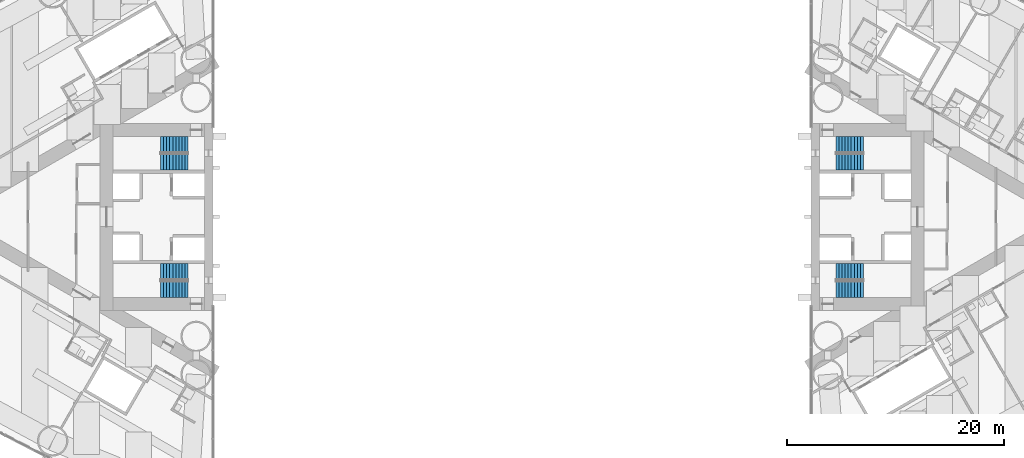
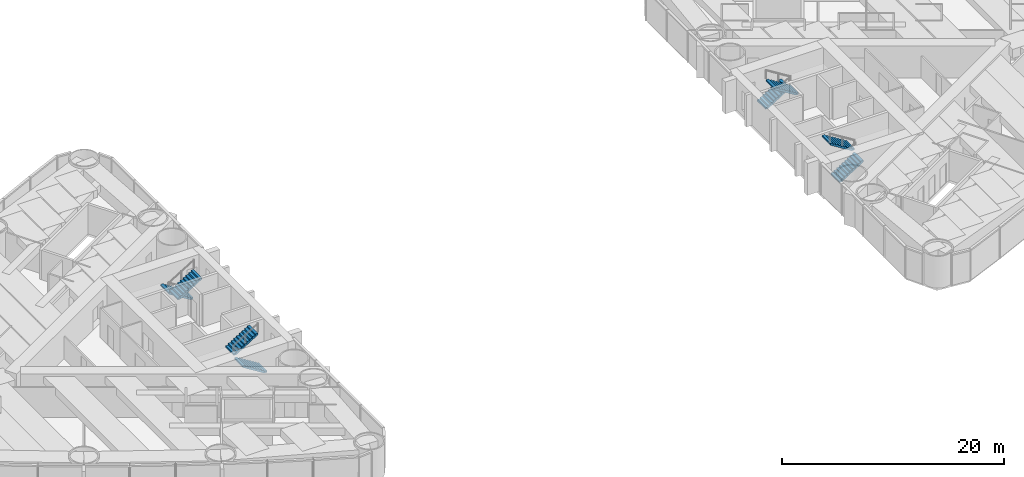
# One storey, part 16 of 18: 8 stair flights, 4 elements without a shape of their own.
"""IFC4 building model written with IfcOpenShell, lengths in metres."""

from ifc_helpers import new_model, si_unit, direction, frame, origin, place, context, subcontext, project, spatial, polyline, outline, extrude, material, type_object, element, aggregate, save


model = new_model("IFC4")

# Units and contexts
model_context = context("Model", 3, precision=1e-05, world=origin(), true_north=direction((0.0, 1.0)))
body_context = subcontext(model_context, "Body", "Model", "MODEL_VIEW")
ifc_project = project(units=[si_unit("LENGTHUNIT", "METRE"), si_unit("AREAUNIT", "SQUARE_METRE"), si_unit("VOLUMEUNIT", "CUBIC_METRE"), si_unit("PLANEANGLEUNIT", "RADIAN"), si_unit("MASSUNIT", "GRAM", prefix="KILO")], contexts=[model_context])

# Site, building, storey
site_placement = place(None, origin())
site = spatial("IfcSite", under=ifc_project, at=site_placement, CompositionType="ELEMENT")
building_placement = place(site_placement, origin())
building = spatial("IfcBuilding", under=site, at=building_placement, Name="Lancet Gate Hotel", CompositionType="ELEMENT")
storey_placement = place(building_placement, frame((0.0, 0.0, 42.5)))
storey = spatial("IfcBuildingStorey", under=building, at=storey_placement, Name="L10", CompositionType="ELEMENT", Elevation=42.5)

# Stair, stair flights
ifc_material_1 = material(Name="Exit stair 20 risers 1500")
stair_type = type_object("IfcStairType", Name="Exit stair 20 risers 1500", PredefinedType="HALF_TURN_STAIR", material=ifc_material_1)
stair_1_placement = place(storey_placement, origin())
stair_1 = element("IfcStair", 1, at=stair_1_placement, inside=storey, type_object=stair_type, Name="T1 stair 1 L10", PredefinedType="HALF_TURN_STAIR")
ifc_material_2 = material(Name="Stair flight 10 risers 175 rise 1500")
stair_flight_type = type_object("IfcStairFlightType", Name="Stair flight 10 risers 175 rise 1500", PredefinedType="STRAIGHT", material=ifc_material_2)
stair_flight_1_placement = place(storey_placement, frame((-29.800048828125, 6.64990234375, 0.0), z_axis=(0.0, 0.0, 1.0), x_axis=(-1.0, 0.0, 0.0)))
stair_flight_1 = element("IfcStairFlight", 2, at=stair_flight_1_placement, type_object=stair_flight_type, Name="ST1 flight 1", NumberOfRisers=10, NumberOfTreads=9, PredefinedType="STRAIGHT", RiserHeight=0.175, TreadLength=0.28, context=body_context, shape_type="SweptSolid", body=[
    extrude(outline(polyline([(0.0, 0.0), (0.0, 0.175048828125), (0.280029296875, 0.175048828125), (0.280029296875, 0.35009765625), (0.56005859375, 0.35009765625), (0.56005859375, 0.52490234375), (0.840087890625, 0.52490234375), (0.840087890625, 0.699951171875), (1.1201171875, 0.699951171875), (1.1201171875, 0.875), (1.39990234375, 0.875), (1.39990234375, 1.050048828125), (1.679931640625, 1.050048828125), (1.679931640625, 1.22509765625), (1.9599609375, 1.22509765625), (1.9599609375, 1.39990234375), (2.239990234375, 1.39990234375), (2.239990234375, 1.574951171875), (2.52001953125, 1.574951171875), (2.52001953125, 1.75), (2.52001953125, 1.398193359375), (0.28271484375, 0.0), (0.0, 0.0)])), frame((0.0, 0.75, 0.0), z_axis=(0.0, -1.0, 0.0), x_axis=(1.0, 0.0, 0.0)), (0.0, 0.0, 1.0), 1.5),
])
stair_flight_2_placement = place(storey_placement, frame((-32.320068359375, 5.050048828125, 1.75), z_axis=(0.0, 0.0, 1.0), x_axis=(1.0, 0.0, 0.0)))
stair_flight_2 = element("IfcStairFlight", 3, at=stair_flight_2_placement, type_object=stair_flight_type, Name="ST1 flight 2", NumberOfRisers=10, NumberOfTreads=9, PredefinedType="STRAIGHT", RiserHeight=0.175, TreadLength=0.28, context=body_context, shape_type="SweptSolid", body=[
    extrude(outline(polyline([(0.0, 0.0), (0.0, 0.175048828125), (0.280029296875, 0.175048828125), (0.280029296875, 0.35009765625), (0.56005859375, 0.35009765625), (0.56005859375, 0.52490234375), (0.840087890625, 0.52490234375), (0.840087890625, 0.699951171875), (1.1201171875, 0.699951171875), (1.1201171875, 0.875), (1.39990234375, 0.875), (1.39990234375, 1.050048828125), (1.679931640625, 1.050048828125), (1.679931640625, 1.22509765625), (1.9599609375, 1.22509765625), (1.9599609375, 1.39990234375), (2.239990234375, 1.39990234375), (2.239990234375, 1.574951171875), (2.52001953125, 1.574951171875), (2.52001953125, 1.75), (2.52001953125, 1.398193359375), (0.28271484375, 0.0), (0.0, 0.0)])), frame((0.0, 0.75, 0.0), z_axis=(0.0, -1.0, 0.0), x_axis=(1.0, 0.0, 0.0)), (0.0, 0.0, 1.0), 1.5),
])
aggregate(stair_1, [stair_flight_1, stair_flight_2])

stair_2_placement = place(storey_placement, origin())
stair_2 = element("IfcStair", 4, at=stair_2_placement, inside=storey, type_object=stair_type, Name="T1 stair 2 L10", PredefinedType="HALF_TURN_STAIR")
stair_flight_3_placement = place(storey_placement, frame((-29.800048828125, -6.64990234375, 0.0), z_axis=(0.0, 0.0, 1.0), x_axis=(-1.0, 0.0, 0.0)))
stair_flight_3 = element("IfcStairFlight", 5, at=stair_flight_3_placement, type_object=stair_flight_type, Name="ST2 flight 1", NumberOfRisers=10, NumberOfTreads=9, PredefinedType="STRAIGHT", RiserHeight=0.175, TreadLength=0.28, context=body_context, shape_type="SweptSolid", body=[
    extrude(outline(polyline([(0.0, 0.0), (0.0, 0.175048828125), (0.280029296875, 0.175048828125), (0.280029296875, 0.35009765625), (0.56005859375, 0.35009765625), (0.56005859375, 0.52490234375), (0.840087890625, 0.52490234375), (0.840087890625, 0.699951171875), (1.1201171875, 0.699951171875), (1.1201171875, 0.875), (1.39990234375, 0.875), (1.39990234375, 1.050048828125), (1.679931640625, 1.050048828125), (1.679931640625, 1.22509765625), (1.9599609375, 1.22509765625), (1.9599609375, 1.39990234375), (2.239990234375, 1.39990234375), (2.239990234375, 1.574951171875), (2.52001953125, 1.574951171875), (2.52001953125, 1.75), (2.52001953125, 1.398193359375), (0.28271484375, 0.0), (0.0, 0.0)])), frame((0.0, 0.75, 0.0), z_axis=(0.0, -1.0, 0.0), x_axis=(1.0, 0.0, 0.0)), (0.0, 0.0, 1.0), 1.5),
])
stair_flight_4_placement = place(storey_placement, frame((-32.320068359375, -5.050048828125, 1.75), z_axis=(0.0, 0.0, 1.0), x_axis=(1.0, 0.0, 0.0)))
stair_flight_4 = element("IfcStairFlight", 6, at=stair_flight_4_placement, type_object=stair_flight_type, Name="ST2 flight 2", NumberOfRisers=10, NumberOfTreads=9, PredefinedType="STRAIGHT", RiserHeight=0.175, TreadLength=0.28, context=body_context, shape_type="SweptSolid", body=[
    extrude(outline(polyline([(0.0, 0.0), (0.0, 0.175048828125), (0.280029296875, 0.175048828125), (0.280029296875, 0.35009765625), (0.56005859375, 0.35009765625), (0.56005859375, 0.52490234375), (0.840087890625, 0.52490234375), (0.840087890625, 0.699951171875), (1.1201171875, 0.699951171875), (1.1201171875, 0.875), (1.39990234375, 0.875), (1.39990234375, 1.050048828125), (1.679931640625, 1.050048828125), (1.679931640625, 1.22509765625), (1.9599609375, 1.22509765625), (1.9599609375, 1.39990234375), (2.239990234375, 1.39990234375), (2.239990234375, 1.574951171875), (2.52001953125, 1.574951171875), (2.52001953125, 1.75), (2.52001953125, 1.398193359375), (0.28271484375, 0.0), (0.0, 0.0)])), frame((0.0, 0.75, 0.0), z_axis=(0.0, -1.0, 0.0), x_axis=(1.0, 0.0, 0.0)), (0.0, 0.0, 1.0), 1.5),
])
aggregate(stair_2, [stair_flight_3, stair_flight_4])

stair_3_placement = place(storey_placement, origin())
stair_3 = element("IfcStair", 7, at=stair_3_placement, inside=storey, type_object=stair_type, Name="T2 stair 1 L10", PredefinedType="HALF_TURN_STAIR")
stair_flight_5_placement = place(storey_placement, frame((29.800048828125, -6.64990234375, 0.0), z_axis=(0.0, 0.0, 1.0), x_axis=(1.0, 0.0, 0.0)))
stair_flight_5 = element("IfcStairFlight", 8, at=stair_flight_5_placement, type_object=stair_flight_type, Name="ST3 flight 1", NumberOfRisers=10, NumberOfTreads=9, PredefinedType="STRAIGHT", RiserHeight=0.175, TreadLength=0.28, context=body_context, shape_type="SweptSolid", body=[
    extrude(outline(polyline([(0.0, 0.0), (0.0, 0.175048828125), (0.280029296875, 0.175048828125), (0.280029296875, 0.35009765625), (0.56005859375, 0.35009765625), (0.56005859375, 0.52490234375), (0.840087890625, 0.52490234375), (0.840087890625, 0.699951171875), (1.1201171875, 0.699951171875), (1.1201171875, 0.875), (1.39990234375, 0.875), (1.39990234375, 1.050048828125), (1.679931640625, 1.050048828125), (1.679931640625, 1.22509765625), (1.9599609375, 1.22509765625), (1.9599609375, 1.39990234375), (2.239990234375, 1.39990234375), (2.239990234375, 1.574951171875), (2.52001953125, 1.574951171875), (2.52001953125, 1.75), (2.52001953125, 1.398193359375), (0.28271484375, 0.0), (0.0, 0.0)])), frame((0.0, 0.75, 0.0), z_axis=(0.0, -1.0, 0.0), x_axis=(1.0, 0.0, 0.0)), (0.0, 0.0, 1.0), 1.5),
])
stair_flight_6_placement = place(storey_placement, frame((32.320068359375, -5.050048828125, 1.75), z_axis=(0.0, 0.0, 1.0), x_axis=(-1.0, 0.0, 0.0)))
stair_flight_6 = element("IfcStairFlight", 9, at=stair_flight_6_placement, type_object=stair_flight_type, Name="ST3 flight 2", NumberOfRisers=10, NumberOfTreads=9, PredefinedType="STRAIGHT", RiserHeight=0.175, TreadLength=0.28, context=body_context, shape_type="SweptSolid", body=[
    extrude(outline(polyline([(0.0, 0.0), (0.0, 0.175048828125), (0.280029296875, 0.175048828125), (0.280029296875, 0.35009765625), (0.56005859375, 0.35009765625), (0.56005859375, 0.52490234375), (0.840087890625, 0.52490234375), (0.840087890625, 0.699951171875), (1.1201171875, 0.699951171875), (1.1201171875, 0.875), (1.39990234375, 0.875), (1.39990234375, 1.050048828125), (1.679931640625, 1.050048828125), (1.679931640625, 1.22509765625), (1.9599609375, 1.22509765625), (1.9599609375, 1.39990234375), (2.239990234375, 1.39990234375), (2.239990234375, 1.574951171875), (2.52001953125, 1.574951171875), (2.52001953125, 1.75), (2.52001953125, 1.398193359375), (0.28271484375, 0.0), (0.0, 0.0)])), frame((0.0, 0.75, 0.0), z_axis=(0.0, -1.0, 0.0), x_axis=(1.0, 0.0, 0.0)), (0.0, 0.0, 1.0), 1.5),
])
aggregate(stair_3, [stair_flight_5, stair_flight_6])

stair_4_placement = place(storey_placement, origin())
stair_4 = element("IfcStair", 10, at=stair_4_placement, inside=storey, type_object=stair_type, Name="T2 stair 2 L10", PredefinedType="HALF_TURN_STAIR")
stair_flight_7_placement = place(storey_placement, frame((29.800048828125, 6.64990234375, 0.0), z_axis=(0.0, 0.0, 1.0), x_axis=(1.0, 0.0, 0.0)))
stair_flight_7 = element("IfcStairFlight", 11, at=stair_flight_7_placement, type_object=stair_flight_type, Name="ST4 flight 1", NumberOfRisers=10, NumberOfTreads=9, PredefinedType="STRAIGHT", RiserHeight=0.175, TreadLength=0.28, context=body_context, shape_type="SweptSolid", body=[
    extrude(outline(polyline([(0.0, 0.0), (0.0, 0.175048828125), (0.280029296875, 0.175048828125), (0.280029296875, 0.35009765625), (0.56005859375, 0.35009765625), (0.56005859375, 0.52490234375), (0.840087890625, 0.52490234375), (0.840087890625, 0.699951171875), (1.1201171875, 0.699951171875), (1.1201171875, 0.875), (1.39990234375, 0.875), (1.39990234375, 1.050048828125), (1.679931640625, 1.050048828125), (1.679931640625, 1.22509765625), (1.9599609375, 1.22509765625), (1.9599609375, 1.39990234375), (2.239990234375, 1.39990234375), (2.239990234375, 1.574951171875), (2.52001953125, 1.574951171875), (2.52001953125, 1.75), (2.52001953125, 1.398193359375), (0.28271484375, 0.0), (0.0, 0.0)])), frame((0.0, 0.75, 0.0), z_axis=(0.0, -1.0, 0.0), x_axis=(1.0, 0.0, 0.0)), (0.0, 0.0, 1.0), 1.5),
])
stair_flight_8_placement = place(storey_placement, frame((32.320068359375, 5.050048828125, 1.75), z_axis=(0.0, 0.0, 1.0), x_axis=(-1.0, 0.0, 0.0)))
stair_flight_8 = element("IfcStairFlight", 12, at=stair_flight_8_placement, type_object=stair_flight_type, Name="ST4 flight 2", NumberOfRisers=10, NumberOfTreads=9, PredefinedType="STRAIGHT", RiserHeight=0.175, TreadLength=0.28, context=body_context, shape_type="SweptSolid", body=[
    extrude(outline(polyline([(0.0, 0.0), (0.0, 0.175048828125), (0.280029296875, 0.175048828125), (0.280029296875, 0.35009765625), (0.56005859375, 0.35009765625), (0.56005859375, 0.52490234375), (0.840087890625, 0.52490234375), (0.840087890625, 0.699951171875), (1.1201171875, 0.699951171875), (1.1201171875, 0.875), (1.39990234375, 0.875), (1.39990234375, 1.050048828125), (1.679931640625, 1.050048828125), (1.679931640625, 1.22509765625), (1.9599609375, 1.22509765625), (1.9599609375, 1.39990234375), (2.239990234375, 1.39990234375), (2.239990234375, 1.574951171875), (2.52001953125, 1.574951171875), (2.52001953125, 1.75), (2.52001953125, 1.398193359375), (0.28271484375, 0.0), (0.0, 0.0)])), frame((0.0, 0.75, 0.0), z_axis=(0.0, -1.0, 0.0), x_axis=(1.0, 0.0, 0.0)), (0.0, 0.0, 1.0), 1.5),
])
aggregate(stair_4, [stair_flight_7, stair_flight_8])

save(model, "model.ifc")
